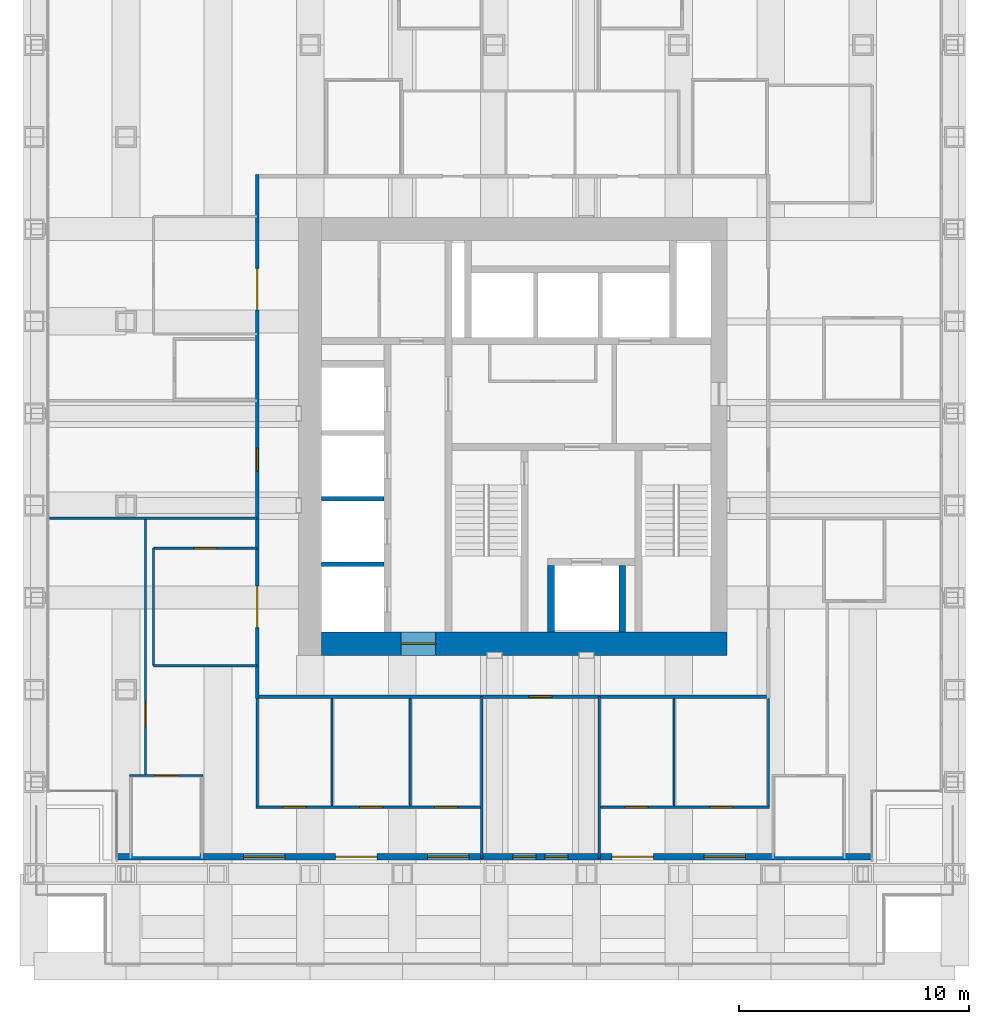
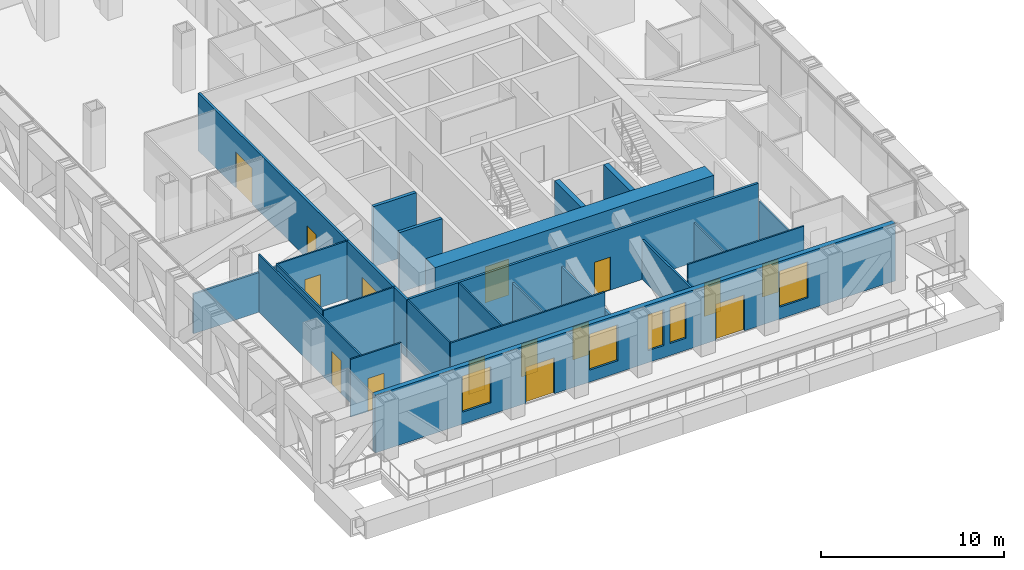
# One storey, part 10 of 16: 23 walls, 15 doors, 5 windows, 20 openings.
"""IFC4 building model written with IfcOpenShell, lengths in metres."""

from ifc_helpers import new_model, si_unit, direction, frame, frame_2d, origin, place, context, subcontext, project, spatial, rectangle, extrude, material, layer, layer_set, type_object, element, fill, save


model = new_model("IFC4")

# Units and contexts
model_context = context("Model", 3, precision=1e-05, world=origin(), true_north=direction((0.0, 1.0)))
body_context = subcontext(model_context, "Body", "Model", "MODEL_VIEW")
ifc_project = project(units=[si_unit("LENGTHUNIT", "METRE"), si_unit("AREAUNIT", "SQUARE_METRE"), si_unit("VOLUMEUNIT", "CUBIC_METRE"), si_unit("PLANEANGLEUNIT", "RADIAN"), si_unit("MASSUNIT", "GRAM", prefix="KILO")], contexts=[model_context])

# Site, building, storey
site_placement = place(None, origin())
site = spatial("IfcSite", under=ifc_project, at=site_placement, CompositionType="ELEMENT")
building_placement = place(site_placement, origin())
building = spatial("IfcBuilding", under=site, at=building_placement, Name="Rimbunsela Tower", CompositionType="ELEMENT")
storey_placement = place(building_placement, frame((0.0, 0.0, 171.800048828125)))
storey = spatial("IfcBuildingStorey", under=building, at=storey_placement, Name="L41", CompositionType="ELEMENT", Elevation=171.800048828125)

# Walls
ifc_material_1 = material(Name="Concrete fc' 80 MPa", Category="concrete")
ifc_layer_1 = layer(ifc_material_1, 0.300048828125)
ifc_layer_set_1 = layer_set([ifc_layer_1], Name="Core internal wall 300")
wall_type_1 = type_object("IfcWallType", Name="Core internal wall 300", PredefinedType="SHEAR", material=ifc_layer_set_1)
for number, where, z_axis, x_axis, name in (
    (1, (28.449951171875, 18.5, -0.150146484375), (0.0, 0.0, 1.0), (0.0, 1.0, 0.0), "Firefighting lift shaft west"),
    (2, (31.550048828125, 18.5, -0.150146484375), (0.0, 0.0, 1.0), (0.0, 1.0, 0.0), "Firefighting lift shaft east"),
):
    element("IfcWall", number, at=place(storey_placement, frame(where, z_axis=z_axis, x_axis=x_axis)), inside=storey, type_object=wall_type_1, Name=name, PredefinedType="SHEAR", context=body_context, shape_type="SweptSolid", body=[
        extrude(rectangle(XDim=2.89990234375, YDim=0.300048828125, at=frame_2d((1.449951171875, 0.0))), origin(), (0.0, 0.0, 1.0), 4.0),
    ])

# Wall, opening, door
ifc_material_2 = material(Name="Concrete fc' 80 MPa", Category="concrete")
ifc_layer_2 = layer(ifc_material_2, 1.0)
ifc_layer_set_2 = layer_set([ifc_layer_2], Name="Core wall 1000")
wall_type_2 = type_object("IfcWallType", Name="Core wall 1000", PredefinedType="SHEAR", material=ifc_layer_set_2)
wall_1_placement = place(storey_placement, frame((18.5, 18.0, -0.150146484375), z_axis=(0.0, 0.0, 1.0), x_axis=(1.0, 0.0, 0.0)))
wall_1 = element("IfcWall", 3, at=wall_1_placement, inside=storey, type_object=wall_type_2, Name="Core wall south", PredefinedType="SHEAR", context=body_context, shape_type="SweptSolid", body=[
    extrude(rectangle(XDim=17.60009765625, YDim=1.0, at=frame_2d((8.800048828125, 0.0))), origin(), (0.0, 0.0, 1.0), 4.0),
])
opening_1_placement = place(wall_1_placement, frame((3.449951171875, 0.0, 0.14990234375)))
opening_1 = element("IfcOpeningElement", 4, at=opening_1_placement, cuts=wall_1, Name="Opening D03", PredefinedType="OPENING", context=body_context, shape_type="SweptSolid", body=[
    extrude(rectangle(XDim=1.5, YDim=2.39990234375, at=frame_2d((0.75, 1.199951171875))), frame((0.0, 0.510009765625, 0.0), z_axis=(0.0, -1.0, 0.0), x_axis=(1.0, 0.0, 0.0)), (0.0, 0.0, 1.0), 1.02001953125),
])
ifc_material_3 = material(Name="Steel door, fire rated", Category="steel")
door_type_1 = type_object("IfcDoorType", Name="Core lobby door 1500", OperationType="DOUBLE_DOOR_DOUBLE_SWING", PredefinedType="DOOR", material=ifc_material_3)
door_1_placement = place(opening_1_placement, origin())
door_1 = element("IfcDoor", 5, at=door_1_placement, inside=storey, type_object=door_type_1, Name="Core door south", OperationType="DOUBLE_DOOR_DOUBLE_SWING", OverallHeight=2.39990234375, OverallWidth=1.5, PredefinedType="DOOR", context=body_context, shape_type="SweptSolid", body=[
    extrude(rectangle(XDim=1.5, YDim=2.39990234375, at=frame_2d((0.75, 1.199951171875))), frame((0.0, 0.02490234375, 0.0), z_axis=(0.0, -1.0, 0.0), x_axis=(1.0, 0.0, 0.0)), (0.0, 0.0, 1.0), 0.050048828125),
])
fill(opening_1, door_1)

# Walls
ifc_material_4 = material(Name="Concrete blockwork", Category="masonry")
ifc_layer_3 = layer(ifc_material_4, 0.199951171875)
ifc_layer_set_3 = layer_set([ifc_layer_3], Name="Lift shaft wall 200")
wall_type_3 = type_object("IfcWallType", Name="Lift shaft wall 200", PredefinedType="SOLIDWALL", material=ifc_layer_set_3)
for number, where, z_axis, x_axis, name in (
    (6, (18.5, 21.449951171875, -0.150146484375), (0.0, 0.0, 1.0), (1.0, 0.0, 0.0), "Lift shaft separation"),
    (7, (18.5, 24.300048828125, -0.150146484375), (0.0, 0.0, 1.0), (1.0, 0.0, 0.0), "Lift shaft separation"),
):
    element("IfcWall", number, at=place(storey_placement, frame(where, z_axis=z_axis, x_axis=x_axis)), inside=storey, type_object=wall_type_3, Name=name, PredefinedType="SOLIDWALL", context=body_context, shape_type="SweptSolid", body=[
        extrude(rectangle(XDim=2.699951171875, YDim=0.199951171875, at=frame_2d((1.35009765625, 0.0))), origin(), (0.0, 0.0, 1.0), 4.0),
    ])

# Wall, openings, doors
ifc_material_5 = material(Name="Gypsum board on steel studs", Category="steel")
ifc_layer_4 = layer(ifc_material_5, 0.10009765625)
ifc_layer_set_4 = layer_set([ifc_layer_4], Name="Office partition 100")
wall_type_4 = type_object("IfcWallType", Name="Office partition 100", PredefinedType="PARTITIONING", material=ifc_layer_set_4)
wall_2_placement = place(storey_placement, frame((15.64990234375, 10.89990234375, 0.0), z_axis=(0.0, 0.0, 1.0), x_axis=(1.0, 0.0, 0.0)))
wall_2 = element("IfcWall", 8, at=wall_2_placement, inside=storey, type_object=wall_type_4, Name="Office partition", PredefinedType="PARTITIONING", context=body_context, shape_type="SweptSolid", body=[
    extrude(rectangle(XDim=9.739013671875, YDim=0.10009765625, at=frame_2d((4.86962890625, 0.0))), origin(), (0.0, 0.0, 1.0), 3.849853515625),
])
opening_2_placement = place(wall_2_placement, frame((1.175048828125, 0.0, 0.0)))
opening_2 = element("IfcOpeningElement", 9, at=opening_2_placement, cuts=wall_2, Name="Opening D16", PredefinedType="OPENING", context=body_context, shape_type="SweptSolid", body=[
    extrude(rectangle(XDim=1.0, YDim=2.199951171875, at=frame_2d((0.5, 1.10009765625))), frame((0.0, 0.06005859375, 0.0), z_axis=(0.0, -1.0, 0.0), x_axis=(1.0, 0.0, 0.0)), (0.0, 0.0, 1.0), 0.1201171875),
])
opening_3_placement = place(wall_2_placement, frame((4.5, 0.0, 0.0)))
opening_3 = element("IfcOpeningElement", 10, at=opening_3_placement, cuts=wall_2, Name="Opening D16", PredefinedType="OPENING", context=body_context, shape_type="SweptSolid", body=[
    extrude(rectangle(XDim=1.0, YDim=2.199951171875, at=frame_2d((0.5, 1.10009765625))), frame((0.0, 0.06005859375, 0.0), z_axis=(0.0, -1.0, 0.0), x_axis=(1.0, 0.0, 0.0)), (0.0, 0.0, 1.0), 0.1201171875),
])
opening_4_placement = place(wall_2_placement, frame((7.74951171875, 0.0, 0.0)))
opening_4 = element("IfcOpeningElement", 11, at=opening_4_placement, cuts=wall_2, Name="Opening D16", PredefinedType="OPENING", context=body_context, shape_type="SweptSolid", body=[
    extrude(rectangle(XDim=1.0, YDim=2.199951171875, at=frame_2d((0.5, 1.10009765625))), frame((0.0, 0.06005859375, 0.0), z_axis=(0.0, -1.0, 0.0), x_axis=(1.0, 0.0, 0.0)), (0.0, 0.0, 1.0), 0.1201171875),
])
ifc_material_6 = material(Name="Timber door", Category="wood")
door_type_2 = type_object("IfcDoorType", Name="Office door 1000", OperationType="SINGLE_SWING_LEFT", PredefinedType="DOOR", material=ifc_material_6)
door_2_placement = place(opening_2_placement, origin())
door_2 = element("IfcDoor", 12, at=door_2_placement, inside=storey, type_object=door_type_2, Name="Office door", OperationType="SINGLE_SWING_LEFT", OverallHeight=2.199951171875, OverallWidth=1.0, PredefinedType="DOOR", context=body_context, shape_type="SweptSolid", body=[
    extrude(rectangle(XDim=1.0, YDim=2.199951171875, at=frame_2d((0.5, 1.10009765625))), frame((0.0, 0.02490234375, 0.0), z_axis=(0.0, -1.0, 0.0), x_axis=(1.0, 0.0, 0.0)), (0.0, 0.0, 1.0), 0.050048828125),
])
fill(opening_2, door_2)
door_3_placement = place(opening_3_placement, origin())
door_3 = element("IfcDoor", 13, at=door_3_placement, inside=storey, type_object=door_type_2, Name="Office door", OperationType="SINGLE_SWING_LEFT", OverallHeight=2.199951171875, OverallWidth=1.0, PredefinedType="DOOR", context=body_context, shape_type="SweptSolid", body=[
    extrude(rectangle(XDim=1.0, YDim=2.199951171875, at=frame_2d((0.5, 1.10009765625))), frame((0.0, 0.02490234375, 0.0), z_axis=(0.0, -1.0, 0.0), x_axis=(1.0, 0.0, 0.0)), (0.0, 0.0, 1.0), 0.050048828125),
])
fill(opening_3, door_3)
door_4_placement = place(opening_4_placement, origin())
door_4 = element("IfcDoor", 14, at=door_4_placement, inside=storey, type_object=door_type_2, Name="Office door", OperationType="SINGLE_SWING_LEFT", OverallHeight=2.199951171875, OverallWidth=1.0, PredefinedType="DOOR", context=body_context, shape_type="SweptSolid", body=[
    extrude(rectangle(XDim=1.0, YDim=2.199951171875, at=frame_2d((0.5, 1.10009765625))), frame((0.0, 0.02490234375, 0.0), z_axis=(0.0, -1.0, 0.0), x_axis=(1.0, 0.0, 0.0)), (0.0, 0.0, 1.0), 0.050048828125),
])
fill(opening_4, door_4)

wall_3_placement = place(storey_placement, frame((30.611083984375, 10.89990234375, 0.0), z_axis=(0.0, 0.0, 1.0), x_axis=(1.0, 0.0, 0.0)))
wall_3 = element("IfcWall", 15, at=wall_3_placement, inside=storey, type_object=wall_type_4, Name="Office partition", PredefinedType="PARTITIONING", context=body_context, shape_type="SweptSolid", body=[
    extrude(rectangle(XDim=7.3388671875, YDim=0.10009765625, at=frame_2d((3.66943359375, 0.0))), origin(), (0.0, 0.0, 1.0), 3.849853515625),
])
opening_5_placement = place(wall_3_placement, frame((1.06494140625, 0.0, 0.0)))
opening_5 = element("IfcOpeningElement", 16, at=opening_5_placement, cuts=wall_3, Name="Opening D16", PredefinedType="OPENING", context=body_context, shape_type="SweptSolid", body=[
    extrude(rectangle(XDim=1.0, YDim=2.199951171875, at=frame_2d((0.5, 1.10009765625))), frame((0.0, 0.06005859375, 0.0), z_axis=(0.0, -1.0, 0.0), x_axis=(1.0, 0.0, 0.0)), (0.0, 0.0, 1.0), 0.1201171875),
])
opening_6_placement = place(wall_3_placement, frame((4.739501953125, 0.0, 0.0)))
opening_6 = element("IfcOpeningElement", 17, at=opening_6_placement, cuts=wall_3, Name="Opening D16", PredefinedType="OPENING", context=body_context, shape_type="SweptSolid", body=[
    extrude(rectangle(XDim=1.0, YDim=2.199951171875, at=frame_2d((0.5, 1.10009765625))), frame((0.0, 0.06005859375, 0.0), z_axis=(0.0, -1.0, 0.0), x_axis=(1.0, 0.0, 0.0)), (0.0, 0.0, 1.0), 0.1201171875),
])
door_5_placement = place(opening_5_placement, origin())
door_5 = element("IfcDoor", 18, at=door_5_placement, inside=storey, type_object=door_type_2, Name="Office door", OperationType="SINGLE_SWING_LEFT", OverallHeight=2.199951171875, OverallWidth=1.0, PredefinedType="DOOR", context=body_context, shape_type="SweptSolid", body=[
    extrude(rectangle(XDim=1.0, YDim=2.199951171875, at=frame_2d((0.5, 1.10009765625))), frame((0.0, 0.02490234375, 0.0), z_axis=(0.0, -1.0, 0.0), x_axis=(1.0, 0.0, 0.0)), (0.0, 0.0, 1.0), 0.050048828125),
])
fill(opening_5, door_5)
door_6_placement = place(opening_6_placement, origin())
door_6 = element("IfcDoor", 19, at=door_6_placement, inside=storey, type_object=door_type_2, Name="Office door", OperationType="SINGLE_SWING_LEFT", OverallHeight=2.199951171875, OverallWidth=1.0, PredefinedType="DOOR", context=body_context, shape_type="SweptSolid", body=[
    extrude(rectangle(XDim=1.0, YDim=2.199951171875, at=frame_2d((0.5, 1.10009765625))), frame((0.0, 0.02490234375, 0.0), z_axis=(0.0, -1.0, 0.0), x_axis=(1.0, 0.0, 0.0)), (0.0, 0.0, 1.0), 0.050048828125),
])
fill(opening_6, door_6)

# Wall, opening, door
wall_4_placement = place(storey_placement, frame((10.14990234375, 12.280029296875, 0.0), z_axis=(0.0, 0.0, 1.0), x_axis=(1.0, 0.0, 0.0)))
wall_4 = element("IfcWall", 20, at=wall_4_placement, inside=storey, type_object=wall_type_4, Name="Office partition", PredefinedType="PARTITIONING", context=body_context, shape_type="SweptSolid", body=[
    extrude(rectangle(XDim=3.2001953125, YDim=0.10009765625, at=frame_2d((1.60009765625, 0.0))), origin(), (0.0, 0.0, 1.0), 3.849853515625),
])
opening_7_placement = place(wall_4_placement, frame((1.10009765625, 0.0, 0.0)))
opening_7 = element("IfcOpeningElement", 21, at=opening_7_placement, cuts=wall_4, Name="Opening D16", PredefinedType="OPENING", context=body_context, shape_type="SweptSolid", body=[
    extrude(rectangle(XDim=1.0, YDim=2.199951171875, at=frame_2d((0.5, 1.10009765625))), frame((0.0, 0.06005859375, 0.0), z_axis=(0.0, -1.0, 0.0), x_axis=(1.0, 0.0, 0.0)), (0.0, 0.0, 1.0), 0.1201171875),
])
door_7_placement = place(opening_7_placement, origin())
door_7 = element("IfcDoor", 22, at=door_7_placement, inside=storey, type_object=door_type_2, Name="Office door", OperationType="SINGLE_SWING_LEFT", OverallHeight=2.199951171875, OverallWidth=1.0, PredefinedType="DOOR", context=body_context, shape_type="SweptSolid", body=[
    extrude(rectangle(XDim=1.0, YDim=2.199951171875, at=frame_2d((0.5, 1.10009765625))), frame((0.0, 0.02490234375, 0.0), z_axis=(0.0, -1.0, 0.0), x_axis=(1.0, 0.0, 0.0)), (0.0, 0.0, 1.0), 0.050048828125),
])
fill(opening_7, door_7)

# Walls
for number, where, z_axis, x_axis, name in (
    (23, (15.699951171875, 10.949951171875, 0.0), (0.0, 0.0, 1.0), (0.0, 1.0, 0.0), "Office partition"),
    (24, (18.949951171875, 10.949951171875, 0.0), (0.0, 0.0, 1.0), (0.0, 1.0, 0.0), "Office partition"),
):
    element("IfcWall", number, at=place(storey_placement, frame(where, z_axis=z_axis, x_axis=x_axis)), inside=storey, type_object=wall_type_4, Name=name, PredefinedType="PARTITIONING", context=body_context, shape_type="SweptSolid", body=[
        extrude(rectangle(XDim=4.675048828125, YDim=0.10009765625, at=frame_2d((2.33740234375, 0.0))), origin(), (0.0, 0.0, 1.0), 3.849853515625),
    ])
for number, where, z_axis, x_axis, name in (
    (25, (22.35009765625, 10.949951171875, 0.0), (0.0, 0.0, 1.0), (0.0, 1.0, 0.0), "Office partition"),
    (26, (33.801025390625, 10.949951171875, 0.0), (0.0, 0.0, 1.0), (0.0, 1.0, 0.0), "Office partition"),
    (27, (37.89990234375, 10.949951171875, 0.0), (0.0, 0.0, 1.0), (0.0, 1.0, 0.0), "Office partition"),
):
    element("IfcWall", number, at=place(storey_placement, frame(where, z_axis=z_axis, x_axis=x_axis)), inside=storey, type_object=wall_type_4, Name=name, PredefinedType="PARTITIONING", context=body_context, shape_type="SweptSolid", body=[
        extrude(rectangle(XDim=4.675048828125, YDim=0.10009765625, at=frame_2d((2.33740234375, 0.0))), origin(), (0.0, 0.0, 1.0), 2.64990234375),
    ])

# Wall, opening, door
wall_5_placement = place(storey_placement, frame((10.85009765625, 23.448974609375, 0.0), z_axis=(0.0, 0.0, 1.0), x_axis=(0.0, -1.0, 0.0)))
wall_5 = element("IfcWall", 28, at=wall_5_placement, inside=storey, type_object=wall_type_4, Name="Office partition", PredefinedType="PARTITIONING", context=body_context, shape_type="SweptSolid", body=[
    extrude(rectangle(XDim=11.118896484375, YDim=0.10009765625, at=frame_2d((5.5595703125, 0.0))), origin(), (0.0, 0.0, 1.0), 3.849853515625),
])
opening_8_placement = place(wall_5_placement, frame((8.009521484375, 0.0, 0.0)))
opening_8 = element("IfcOpeningElement", 29, at=opening_8_placement, cuts=wall_5, Name="Opening D17", PredefinedType="OPENING", context=body_context, shape_type="SweptSolid", body=[
    extrude(rectangle(XDim=1.0, YDim=2.199951171875, at=frame_2d((0.5, 1.10009765625))), frame((0.0, 0.06005859375, 0.0), z_axis=(0.0, -1.0, 0.0), x_axis=(1.0, 0.0, 0.0)), (0.0, 0.0, 1.0), 0.1201171875),
])
ifc_material_7 = material(Name="Glazed aluminium door", Category="aluminium")
door_type_3 = type_object("IfcDoorType", Name="Meeting room door 1000 glazed", OperationType="SINGLE_SWING_RIGHT", PredefinedType="DOOR", material=ifc_material_7)
door_8_placement = place(opening_8_placement, origin())
door_8 = element("IfcDoor", 30, at=door_8_placement, inside=storey, type_object=door_type_3, Name="Open office screen door", OperationType="SINGLE_SWING_RIGHT", OverallHeight=2.199951171875, OverallWidth=1.0, PredefinedType="DOOR", context=body_context, shape_type="SweptSolid", body=[
    extrude(rectangle(XDim=1.0, YDim=2.199951171875, at=frame_2d((0.5, 1.10009765625))), frame((0.0, 0.02490234375, 0.0), z_axis=(0.0, -1.0, 0.0), x_axis=(1.0, 0.0, 0.0)), (0.0, 0.0, 1.0), 0.050048828125),
])
fill(opening_8, door_8)

wall_6_placement = place(storey_placement, frame((15.699951171875, 22.14892578125, 0.0), z_axis=(0.0, 0.0, 1.0), x_axis=(-1.0, 0.0, 0.0)))
wall_6 = element("IfcWall", 31, at=wall_6_placement, inside=storey, type_object=wall_type_4, Name="Office partition", PredefinedType="PARTITIONING", context=body_context, shape_type="SweptSolid", body=[
    extrude(rectangle(XDim=4.5, YDim=0.10009765625, at=frame_2d((2.25, 0.0))), origin(), (0.0, 0.0, 1.0), 3.849853515625),
])
opening_9_placement = place(wall_6_placement, frame((1.75, 0.0, 0.0)))
opening_9 = element("IfcOpeningElement", 32, at=opening_9_placement, cuts=wall_6, Name="Opening D17", PredefinedType="OPENING", context=body_context, shape_type="SweptSolid", body=[
    extrude(rectangle(XDim=1.0, YDim=2.199951171875, at=frame_2d((0.5, 1.10009765625))), frame((0.0, 0.06005859375, 0.0), z_axis=(0.0, -1.0, 0.0), x_axis=(1.0, 0.0, 0.0)), (0.0, 0.0, 1.0), 0.1201171875),
])
door_9_placement = place(opening_9_placement, origin())
door_9 = element("IfcDoor", 33, at=door_9_placement, inside=storey, type_object=door_type_3, Name="Reception door", OperationType="SINGLE_SWING_RIGHT", OverallHeight=2.199951171875, OverallWidth=1.0, PredefinedType="DOOR", context=body_context, shape_type="SweptSolid", body=[
    extrude(rectangle(XDim=1.0, YDim=2.199951171875, at=frame_2d((0.5, 1.10009765625))), frame((0.0, 0.02490234375, 0.0), z_axis=(0.0, -1.0, 0.0), x_axis=(1.0, 0.0, 0.0)), (0.0, 0.0, 1.0), 0.050048828125),
])
fill(opening_9, door_9)

# Walls
wall_7_placement = place(storey_placement, frame((11.199951171875, 22.14892578125, 0.0), z_axis=(0.0, 0.0, 1.0), x_axis=(0.0, -1.0, 0.0)))
element("IfcWall", 34, at=wall_7_placement, inside=storey, type_object=wall_type_4, Name="Office partition", PredefinedType="PARTITIONING", context=body_context, shape_type="SweptSolid", body=[
    extrude(rectangle(XDim=5.099853515625, YDim=0.10009765625, at=frame_2d((2.5498046875, 0.0))), origin(), (0.0, 0.0, 1.0), 3.849853515625),
])
wall_8_placement = place(storey_placement, frame((11.199951171875, 17.049072265625, 0.0), z_axis=(0.0, 0.0, 1.0), x_axis=(1.0, 0.0, 0.0)))
element("IfcWall", 35, at=wall_8_placement, inside=storey, type_object=wall_type_4, Name="Office partition", PredefinedType="PARTITIONING", context=body_context, shape_type="SweptSolid", body=[
    extrude(rectangle(XDim=4.5, YDim=0.10009765625, at=frame_2d((2.25, 0.0))), origin(), (0.0, 0.0, 1.0), 3.849853515625),
])

# Wall, openings, doors
ifc_material_8 = material(Name="Fire-rated gypsum board on steel studs, EI 60", Category="steel")
ifc_layer_5 = layer(ifc_material_8, 0.14990234375)
ifc_layer_set_5 = layer_set([ifc_layer_5], Name="Rated corridor wall 150")
wall_type_5 = type_object("IfcWallType", Name="Rated corridor wall 150", PredefinedType="PARTITIONING", material=ifc_layer_set_5)
wall_9_placement = place(storey_placement, frame((15.699951171875, 15.625, 0.0), z_axis=(0.0, 0.0, 1.0), x_axis=(0.0, 1.0, 0.0)))
wall_9 = element("IfcWall", 36, at=wall_9_placement, inside=storey, type_object=wall_type_5, Name="Corridor wall west", PredefinedType="PARTITIONING", context=body_context, shape_type="SweptSolid", body=[
    extrude(rectangle(XDim=22.75, YDim=0.14990234375, at=frame_2d((11.375, 0.0))), origin(), (0.0, 0.0, 1.0), 3.849853515625),
])
opening_10_placement = place(wall_9_placement, frame((3.073974609375, 0.0, 0.0)))
opening_10 = element("IfcOpeningElement", 37, at=opening_10_placement, cuts=wall_9, Name="Opening D09", PredefinedType="OPENING", context=body_context, shape_type="SweptSolid", body=[
    extrude(rectangle(XDim=1.800048828125, YDim=2.39990234375, at=frame_2d((0.89990234375, 1.199951171875))), frame((0.0, 0.0849609375, 0.0), z_axis=(0.0, -1.0, 0.0), x_axis=(1.0, 0.0, 0.0)), (0.0, 0.0, 1.0), 0.169921875),
])
opening_11_placement = place(wall_9_placement, frame((16.8759765625, 0.0, 0.0)))
opening_11 = element("IfcOpeningElement", 38, at=opening_11_placement, cuts=wall_9, Name="Opening D09", PredefinedType="OPENING", context=body_context, shape_type="SweptSolid", body=[
    extrude(rectangle(XDim=1.800048828125, YDim=2.39990234375, at=frame_2d((0.89990234375, 1.199951171875))), frame((0.0, 0.0849609375, 0.0), z_axis=(0.0, -1.0, 0.0), x_axis=(1.0, 0.0, 0.0)), (0.0, 0.0, 1.0), 0.169921875),
])
opening_12_placement = place(wall_9_placement, frame((9.875, 0.0, 0.0)))
opening_12 = element("IfcOpeningElement", 39, at=opening_12_placement, cuts=wall_9, Name="Opening D19", PredefinedType="OPENING", context=body_context, shape_type="SweptSolid", body=[
    extrude(rectangle(XDim=1.0, YDim=2.199951171875, at=frame_2d((0.5, 1.10009765625))), frame((0.0, 0.0849609375, 0.0), z_axis=(0.0, -1.0, 0.0), x_axis=(1.0, 0.0, 0.0)), (0.0, 0.0, 1.0), 0.169921875),
])
ifc_material_9 = material(Name="Steel door, fire rated", Category="steel")
door_type_4 = type_object("IfcDoorType", Name="Service door 1000 fire rated", OperationType="SINGLE_SWING_LEFT", PredefinedType="DOOR", material=ifc_material_9)
door_10_placement = place(opening_12_placement, origin())
door_10 = element("IfcDoor", 40, at=door_10_placement, inside=storey, type_object=door_type_4, Name="Service chase access door", OperationType="SINGLE_SWING_LEFT", OverallHeight=2.199951171875, OverallWidth=1.0, PredefinedType="DOOR", context=body_context, shape_type="SweptSolid", body=[
    extrude(rectangle(XDim=1.0, YDim=2.199951171875, at=frame_2d((0.5, 1.10009765625))), frame((0.0, 0.02490234375, 0.0), z_axis=(0.0, -1.0, 0.0), x_axis=(1.0, 0.0, 0.0)), (0.0, 0.0, 1.0), 0.050048828125),
])
fill(opening_12, door_10)
ifc_material_10 = material(Name="Glazed aluminium door, fire rated", Category="aluminium")
door_type_5 = type_object("IfcDoorType", Name="Tenancy door 1800 glazed", OperationType="DOUBLE_DOOR_DOUBLE_SWING", PredefinedType="DOOR", material=ifc_material_10)
door_11_placement = place(opening_10_placement, origin())
door_11 = element("IfcDoor", 41, at=door_11_placement, inside=storey, type_object=door_type_5, Name="Tenancy door", OperationType="DOUBLE_DOOR_DOUBLE_SWING", OverallHeight=2.39990234375, OverallWidth=1.800048828125, PredefinedType="DOOR", context=body_context, shape_type="SweptSolid", body=[
    extrude(rectangle(XDim=1.800048828125, YDim=2.39990234375, at=frame_2d((0.89990234375, 1.199951171875))), frame((0.0, 0.02490234375, 0.0), z_axis=(0.0, -1.0, 0.0), x_axis=(1.0, 0.0, 0.0)), (0.0, 0.0, 1.0), 0.050048828125),
])
fill(opening_10, door_11)
door_12_placement = place(opening_11_placement, origin())
door_12 = element("IfcDoor", 42, at=door_12_placement, inside=storey, type_object=door_type_5, Name="Tenancy door", OperationType="DOUBLE_DOOR_DOUBLE_SWING", OverallHeight=2.39990234375, OverallWidth=1.800048828125, PredefinedType="DOOR", context=body_context, shape_type="SweptSolid", body=[
    extrude(rectangle(XDim=1.800048828125, YDim=2.39990234375, at=frame_2d((0.89990234375, 1.199951171875))), frame((0.0, 0.02490234375, 0.0), z_axis=(0.0, -1.0, 0.0), x_axis=(1.0, 0.0, 0.0)), (0.0, 0.0, 1.0), 0.050048828125),
])
fill(opening_11, door_12)

# Wall, opening, door
wall_10_placement = place(storey_placement, frame((15.77490234375, 15.699951171875, 0.0), z_axis=(0.0, 0.0, 1.0), x_axis=(1.0, 0.0, 0.0)))
wall_10 = element("IfcWall", 43, at=wall_10_placement, inside=storey, type_object=wall_type_5, Name="Corridor wall south", PredefinedType="PARTITIONING", context=body_context, shape_type="SweptSolid", body=[
    extrude(rectangle(XDim=22.050048828125, YDim=0.14990234375, at=frame_2d((11.02490234375, 0.0))), origin(), (0.0, 0.0, 1.0), 3.849853515625),
])
opening_13_placement = place(wall_10_placement, frame((11.72509765625, 0.0, 0.0)))
opening_13 = element("IfcOpeningElement", 44, at=opening_13_placement, cuts=wall_10, Name="Opening D19", PredefinedType="OPENING", context=body_context, shape_type="SweptSolid", body=[
    extrude(rectangle(XDim=1.0, YDim=2.199951171875, at=frame_2d((0.5, 1.10009765625))), frame((0.0, 0.0849609375, 0.0), z_axis=(0.0, -1.0, 0.0), x_axis=(1.0, 0.0, 0.0)), (0.0, 0.0, 1.0), 0.169921875),
])
door_13_placement = place(opening_13_placement, origin())
door_13 = element("IfcDoor", 45, at=door_13_placement, inside=storey, type_object=door_type_4, Name="Service chase access door", OperationType="SINGLE_SWING_LEFT", OverallHeight=2.199951171875, OverallWidth=1.0, PredefinedType="DOOR", context=body_context, shape_type="SweptSolid", body=[
    extrude(rectangle(XDim=1.0, YDim=2.199951171875, at=frame_2d((0.5, 1.10009765625))), frame((0.0, 0.02490234375, 0.0), z_axis=(0.0, -1.0, 0.0), x_axis=(1.0, 0.0, 0.0)), (0.0, 0.0, 1.0), 0.050048828125),
])
fill(opening_13, door_13)

# Walls
ifc_material_11 = material(Name="Gypsum board on steel studs", Category="steel")
ifc_layer_6 = layer(ifc_material_11, 0.1201171875)
ifc_layer_set_6 = layer_set([ifc_layer_6], Name="Tenancy partition 120")
wall_type_6 = type_object("IfcWallType", Name="Tenancy partition 120", PredefinedType="PARTITIONING", material=ifc_layer_set_6)
for number, where, z_axis, x_axis, name in (
    (46, (25.449951171875, 8.679931640625, 0.0), (0.0, 0.0, 1.0), (0.0, 1.0, 0.0), "Tenancy partition"),
    (47, (30.550048828125, 8.679931640625, 0.0), (0.0, 0.0, 1.0), (0.0, 1.0, 0.0), "Tenancy partition"),
):
    element("IfcWall", number, at=place(storey_placement, frame(where, z_axis=z_axis, x_axis=x_axis)), inside=storey, type_object=wall_type_6, Name=name, PredefinedType="PARTITIONING", context=body_context, shape_type="SweptSolid", body=[
        extrude(rectangle(XDim=7.02001953125, YDim=0.1201171875, at=frame_2d((3.510009765625, 0.0))), origin(), (0.0, 0.0, 1.0), 2.64990234375),
    ])
wall_11_placement = place(storey_placement, frame((6.679931640625, 23.449951171875, 0.0), z_axis=(0.0, 0.0, 1.0), x_axis=(1.0, 0.0, 0.0)))
element("IfcWall", 48, at=wall_11_placement, inside=storey, type_object=wall_type_6, Name="Tenancy partition", PredefinedType="PARTITIONING", context=body_context, shape_type="SweptSolid", body=[
    extrude(rectangle(XDim=9.02001953125, YDim=0.1201171875, at=frame_2d((4.510009765625, 0.0))), origin(), (0.0, 0.0, 1.0), 2.64990234375),
])

# Wall, openings, doors, windows
ifc_material_12 = material(Name="Precast concrete fc' 35 MPa", Category="concrete")
ifc_layer_7 = layer(ifc_material_12, 0.300048828125)
ifc_layer_set_7 = layer_set([ifc_layer_7], Name="Terrace wall 300")
wall_type_7 = type_object("IfcWallType", Name="Terrace wall 300", PredefinedType="ELEMENTEDWALL", material=ifc_layer_set_7)
wall_12_placement = place(storey_placement, frame((9.60009765625, 8.75, 0.0), z_axis=(0.0, 0.0, 1.0), x_axis=(1.0, 0.0, 0.0)))
wall_12 = element("IfcWall", 49, at=wall_12_placement, inside=storey, type_object=wall_type_7, Name="Terrace wall S L41", PredefinedType="ELEMENTEDWALL", context=body_context, shape_type="SweptSolid", body=[
    extrude(rectangle(XDim=32.7998046875, YDim=0.300048828125, at=frame_2d((16.39990234375, 0.0))), origin(), (0.0, 0.0, 1.0), 3.849853515625),
])
opening_14_placement = place(wall_12_placement, frame((5.5, 0.0, 0.800048828125)))
opening_14 = element("IfcOpeningElement", 50, at=opening_14_placement, cuts=wall_12, Name="Opening W3", PredefinedType="OPENING", context=body_context, shape_type="SweptSolid", body=[
    extrude(rectangle(XDim=1.800048828125, YDim=2.39990234375, at=frame_2d((0.89990234375, 1.199951171875))), frame((0.0, 0.159912109375, 0.0), z_axis=(0.0, -1.0, 0.0), x_axis=(1.0, 0.0, 0.0)), (0.0, 0.0, 1.0), 0.320068359375),
])
opening_15_placement = place(wall_12_placement, frame((9.5, 0.0, 0.0)))
opening_15 = element("IfcOpeningElement", 51, at=opening_15_placement, cuts=wall_12, Name="Opening TD1", PredefinedType="OPENING", context=body_context, shape_type="SweptSolid", body=[
    extrude(rectangle(XDim=1.800048828125, YDim=2.39990234375, at=frame_2d((0.89990234375, 1.199951171875))), frame((0.0, 0.159912109375, 0.0), z_axis=(0.0, -1.0, 0.0), x_axis=(1.0, 0.0, 0.0)), (0.0, 0.0, 1.0), 0.320068359375),
])
opening_16_placement = place(wall_12_placement, frame((13.5, 0.0, 0.800048828125)))
opening_16 = element("IfcOpeningElement", 52, at=opening_16_placement, cuts=wall_12, Name="Opening W3", PredefinedType="OPENING", context=body_context, shape_type="SweptSolid", body=[
    extrude(rectangle(XDim=1.800048828125, YDim=2.39990234375, at=frame_2d((0.89990234375, 1.199951171875))), frame((0.0, 0.159912109375, 0.0), z_axis=(0.0, -1.0, 0.0), x_axis=(1.0, 0.0, 0.0)), (0.0, 0.0, 1.0), 0.320068359375),
])
opening_17_placement = place(wall_12_placement, frame((17.199951171875, 0.0, 0.800048828125)))
opening_17 = element("IfcOpeningElement", 53, at=opening_17_placement, cuts=wall_12, Name="Opening W6", PredefinedType="OPENING", context=body_context, shape_type="SweptSolid", body=[
    extrude(rectangle(XDim=1.0, YDim=2.39990234375, at=frame_2d((0.5, 1.199951171875))), frame((0.0, 0.159912109375, 0.0), z_axis=(0.0, -1.0, 0.0), x_axis=(1.0, 0.0, 0.0)), (0.0, 0.0, 1.0), 0.320068359375),
])
opening_18_placement = place(wall_12_placement, frame((18.60009765625, 0.0, 0.800048828125)))
opening_18 = element("IfcOpeningElement", 54, at=opening_18_placement, cuts=wall_12, Name="Opening W6", PredefinedType="OPENING", context=body_context, shape_type="SweptSolid", body=[
    extrude(rectangle(XDim=1.0, YDim=2.39990234375, at=frame_2d((0.5, 1.199951171875))), frame((0.0, 0.159912109375, 0.0), z_axis=(0.0, -1.0, 0.0), x_axis=(1.0, 0.0, 0.0)), (0.0, 0.0, 1.0), 0.320068359375),
])
opening_19_placement = place(wall_12_placement, frame((21.5, 0.0, 0.0)))
opening_19 = element("IfcOpeningElement", 55, at=opening_19_placement, cuts=wall_12, Name="Opening TD1", PredefinedType="OPENING", context=body_context, shape_type="SweptSolid", body=[
    extrude(rectangle(XDim=1.800048828125, YDim=2.39990234375, at=frame_2d((0.89990234375, 1.199951171875))), frame((0.0, 0.159912109375, 0.0), z_axis=(0.0, -1.0, 0.0), x_axis=(1.0, 0.0, 0.0)), (0.0, 0.0, 1.0), 0.320068359375),
])
opening_20_placement = place(wall_12_placement, frame((25.5, 0.0, 0.800048828125)))
opening_20 = element("IfcOpeningElement", 56, at=opening_20_placement, cuts=wall_12, Name="Opening W3", PredefinedType="OPENING", context=body_context, shape_type="SweptSolid", body=[
    extrude(rectangle(XDim=1.800048828125, YDim=2.39990234375, at=frame_2d((0.89990234375, 1.199951171875))), frame((0.0, 0.159912109375, 0.0), z_axis=(0.0, -1.0, 0.0), x_axis=(1.0, 0.0, 0.0)), (0.0, 0.0, 1.0), 0.320068359375),
])
ifc_material_13 = material(Name="Glazed aluminium door", Category="aluminium")
door_type_6 = type_object("IfcDoorType", Name="Terrace door 1800", OperationType="DOUBLE_DOOR_SLIDING", PredefinedType="DOOR", material=ifc_material_13)
door_14_placement = place(opening_15_placement, origin())
door_14 = element("IfcDoor", 57, at=door_14_placement, inside=storey, type_object=door_type_6, Name="Terrace door", OperationType="DOUBLE_DOOR_SLIDING", OverallHeight=2.39990234375, OverallWidth=1.800048828125, PredefinedType="DOOR", context=body_context, shape_type="SweptSolid", body=[
    extrude(rectangle(XDim=1.800048828125, YDim=2.39990234375, at=frame_2d((0.89990234375, 1.199951171875))), frame((0.0, 0.02490234375, 0.0), z_axis=(0.0, -1.0, 0.0), x_axis=(1.0, 0.0, 0.0)), (0.0, 0.0, 1.0), 0.050048828125),
])
fill(opening_15, door_14)
door_15_placement = place(opening_19_placement, origin())
door_15 = element("IfcDoor", 58, at=door_15_placement, inside=storey, type_object=door_type_6, Name="Terrace door", OperationType="DOUBLE_DOOR_SLIDING", OverallHeight=2.39990234375, OverallWidth=1.800048828125, PredefinedType="DOOR", context=body_context, shape_type="SweptSolid", body=[
    extrude(rectangle(XDim=1.800048828125, YDim=2.39990234375, at=frame_2d((0.89990234375, 1.199951171875))), frame((0.0, 0.02490234375, 0.0), z_axis=(0.0, -1.0, 0.0), x_axis=(1.0, 0.0, 0.0)), (0.0, 0.0, 1.0), 0.050048828125),
])
fill(opening_19, door_15)
ifc_material_14 = material(Name="Clear glass in aluminium frame", Category="aluminium")
window_type_1 = type_object("IfcWindowType", Name="Window W3 1800x2400", PartitioningType="SINGLE_PANEL", PredefinedType="WINDOW", material=ifc_material_14)
window_1_placement = place(opening_14_placement, origin())
window_1 = element("IfcWindow", 59, at=window_1_placement, inside=storey, type_object=window_type_1, Name="Window L41", OverallHeight=2.39990234375, OverallWidth=1.800048828125, PartitioningType="SINGLE_PANEL", PredefinedType="WINDOW", context=body_context, shape_type="SweptSolid", body=[
    extrude(rectangle(XDim=1.800048828125, YDim=2.39990234375, at=frame_2d((0.89990234375, 1.199951171875))), frame((0.0, 0.030029296875, 0.0), z_axis=(0.0, -1.0, 0.0), x_axis=(1.0, 0.0, 0.0)), (0.0, 0.0, 1.0), 0.06005859375),
])
fill(opening_14, window_1)
window_2_placement = place(opening_16_placement, origin())
window_2 = element("IfcWindow", 60, at=window_2_placement, inside=storey, type_object=window_type_1, Name="Window L41", OverallHeight=2.39990234375, OverallWidth=1.800048828125, PartitioningType="SINGLE_PANEL", PredefinedType="WINDOW", context=body_context, shape_type="SweptSolid", body=[
    extrude(rectangle(XDim=1.800048828125, YDim=2.39990234375, at=frame_2d((0.89990234375, 1.199951171875))), frame((0.0, 0.030029296875, 0.0), z_axis=(0.0, -1.0, 0.0), x_axis=(1.0, 0.0, 0.0)), (0.0, 0.0, 1.0), 0.06005859375),
])
fill(opening_16, window_2)
window_3_placement = place(opening_20_placement, origin())
window_3 = element("IfcWindow", 61, at=window_3_placement, inside=storey, type_object=window_type_1, Name="Window L41", OverallHeight=2.39990234375, OverallWidth=1.800048828125, PartitioningType="SINGLE_PANEL", PredefinedType="WINDOW", context=body_context, shape_type="SweptSolid", body=[
    extrude(rectangle(XDim=1.800048828125, YDim=2.39990234375, at=frame_2d((0.89990234375, 1.199951171875))), frame((0.0, 0.030029296875, 0.0), z_axis=(0.0, -1.0, 0.0), x_axis=(1.0, 0.0, 0.0)), (0.0, 0.0, 1.0), 0.06005859375),
])
fill(opening_20, window_3)
ifc_material_15 = material(Name="Clear glass in aluminium frame", Category="aluminium")
window_type_2 = type_object("IfcWindowType", Name="Window W6 1000x2400", PartitioningType="SINGLE_PANEL", PredefinedType="WINDOW", material=ifc_material_15)
window_4_placement = place(opening_17_placement, origin())
window_4 = element("IfcWindow", 62, at=window_4_placement, inside=storey, type_object=window_type_2, Name="Window L41", OverallHeight=2.39990234375, OverallWidth=1.0, PartitioningType="SINGLE_PANEL", PredefinedType="WINDOW", context=body_context, shape_type="SweptSolid", body=[
    extrude(rectangle(XDim=1.0, YDim=2.39990234375, at=frame_2d((0.5, 1.199951171875))), frame((0.0, 0.030029296875, 0.0), z_axis=(0.0, -1.0, 0.0), x_axis=(1.0, 0.0, 0.0)), (0.0, 0.0, 1.0), 0.06005859375),
])
fill(opening_17, window_4)
window_5_placement = place(opening_18_placement, origin())
window_5 = element("IfcWindow", 63, at=window_5_placement, inside=storey, type_object=window_type_2, Name="Window L41", OverallHeight=2.39990234375, OverallWidth=1.0, PartitioningType="SINGLE_PANEL", PredefinedType="WINDOW", context=body_context, shape_type="SweptSolid", body=[
    extrude(rectangle(XDim=1.0, YDim=2.39990234375, at=frame_2d((0.5, 1.199951171875))), frame((0.0, 0.030029296875, 0.0), z_axis=(0.0, -1.0, 0.0), x_axis=(1.0, 0.0, 0.0)), (0.0, 0.0, 1.0), 0.06005859375),
])
fill(opening_18, window_5)

save(model, "model.ifc")
